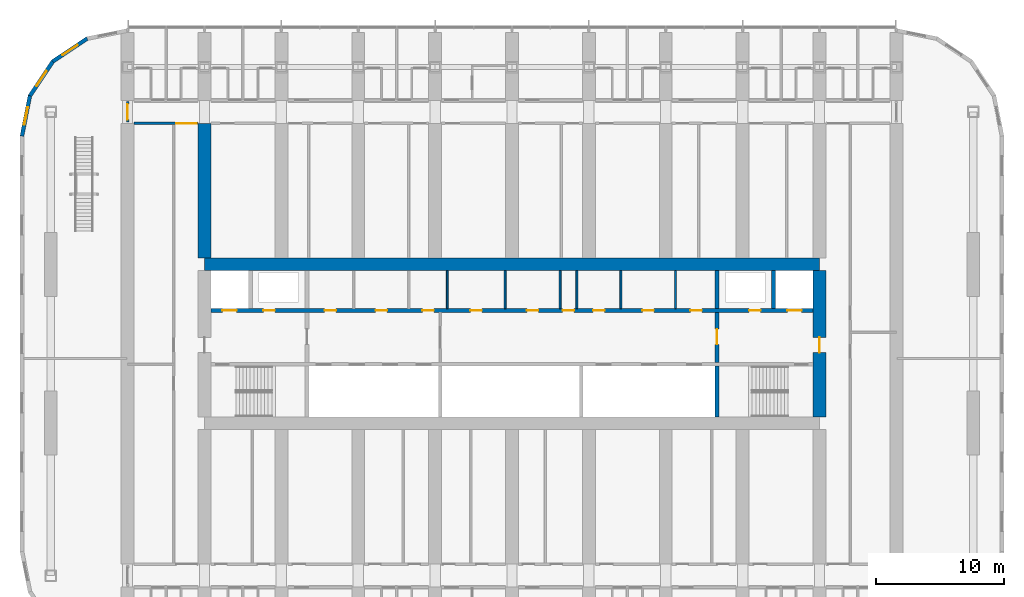
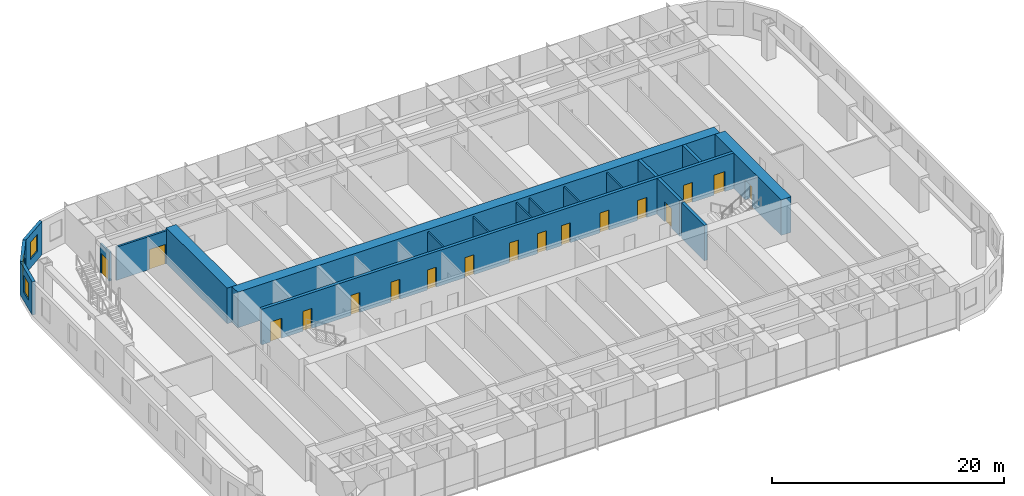
# One storey, part 16 of 28: 19 walls, 17 doors, 3 windows, 20 openings.
"""IFC4 building model written with IfcOpenShell, lengths in metres."""

from ifc_helpers import new_model, si_unit, direction, frame, frame_2d, origin, place, context, subcontext, project, spatial, polyline, rectangle, outline, extrude, material, layer, layer_set, type_object, element, fill, save


model = new_model("IFC4")

# Units and contexts
model_context = context("Model", 3, precision=1e-05, world=origin(), true_north=direction((0.0, 1.0)))
body_context = subcontext(model_context, "Body", "Model", "MODEL_VIEW")
ifc_project = project(units=[si_unit("LENGTHUNIT", "METRE"), si_unit("AREAUNIT", "SQUARE_METRE"), si_unit("VOLUMEUNIT", "CUBIC_METRE"), si_unit("PLANEANGLEUNIT", "RADIAN"), si_unit("MASSUNIT", "GRAM", prefix="KILO")], contexts=[model_context])

# Site, building, storey
site_placement = place(None, origin())
site = spatial("IfcSite", under=ifc_project, at=site_placement, CompositionType="ELEMENT")
building_placement = place(site_placement, origin())
building = spatial("IfcBuilding", under=site, at=building_placement, Name="Orbita Commons", CompositionType="ELEMENT")
storey_placement = place(building_placement, frame((0.0, 0.0, 23.949951171875)))
storey = spatial("IfcBuildingStorey", under=building, at=storey_placement, Name="L05", CompositionType="ELEMENT", Elevation=23.949951171875)

# Wall, openings, doors
ifc_material_1 = material(Name="Concrete C50/60", Category="concrete")
ifc_layer_1 = layer(ifc_material_1, 0.300048828125)
ifc_layer_set_1 = layer_set([ifc_layer_1], Name="Concrete C50/60")
wall_type_1 = type_object("IfcWallType", Name="Core inner wall 300 C50/60", PredefinedType="SHEAR", material=ifc_layer_set_1)
wall_1_placement = place(storey_placement, frame((18.5, 34.60009765625, 0.0), z_axis=(0.0, 0.0, 1.0), x_axis=(1.0, 0.0, 0.0)))
wall_1 = element("IfcWall", 1, at=wall_1_placement, inside=storey, type_object=wall_type_1, Name="Lobby wall north L05", PredefinedType="SHEAR", context=body_context, shape_type="SweptSolid", body=[
    extrude(rectangle(XDim=47.0, YDim=0.300048828125, at=frame_2d((23.5, 0.0))), origin(), (0.0, 0.0, 1.0), 3.75),
])
opening_1_placement = place(wall_1_placement, frame((0.89990234375, 0.0, 0.0)))
opening_1 = element("IfcOpeningElement", 2, at=opening_1_placement, cuts=wall_1, Name="Opening LD01", PredefinedType="OPENING", context=body_context, shape_type="SweptSolid", body=[
    extrude(rectangle(XDim=1.10009765625, YDim=2.10009765625, at=frame_2d((0.550048828125, 1.050048828125))), frame((0.0, 0.159912109375, 0.0), z_axis=(0.0, -1.0, 0.0), x_axis=(1.0, 0.0, 0.0)), (0.0, 0.0, 1.0), 0.320068359375),
])
opening_2_placement = place(wall_1_placement, frame((45.0, 0.0, 0.0)))
opening_2 = element("IfcOpeningElement", 3, at=opening_2_placement, cuts=wall_1, Name="Opening LD01", PredefinedType="OPENING", context=body_context, shape_type="SweptSolid", body=[
    extrude(rectangle(XDim=1.10009765625, YDim=2.10009765625, at=frame_2d((0.550048828125, 1.050048828125))), frame((0.0, 0.159912109375, 0.0), z_axis=(0.0, -1.0, 0.0), x_axis=(1.0, 0.0, 0.0)), (0.0, 0.0, 1.0), 0.320068359375),
])
opening_3_placement = place(wall_1_placement, frame((4.10009765625, 0.0, 0.0)))
opening_3 = element("IfcOpeningElement", 4, at=opening_3_placement, cuts=wall_1, Name="Opening D03", PredefinedType="OPENING", context=body_context, shape_type="SweptSolid", body=[
    extrude(rectangle(XDim=0.89990234375, YDim=2.10009765625, at=frame_2d((0.449951171875, 1.050048828125))), frame((0.0, 0.159912109375, 0.0), z_axis=(0.0, -1.0, 0.0), x_axis=(1.0, 0.0, 0.0)), (0.0, 0.0, 1.0), 0.320068359375),
])
opening_4_placement = place(wall_1_placement, frame((42.0, 0.0, 0.0)))
opening_4 = element("IfcOpeningElement", 5, at=opening_4_placement, cuts=wall_1, Name="Opening D03", PredefinedType="OPENING", context=body_context, shape_type="SweptSolid", body=[
    extrude(rectangle(XDim=0.89990234375, YDim=2.10009765625, at=frame_2d((0.449951171875, 1.050048828125))), frame((0.0, 0.159912109375, 0.0), z_axis=(0.0, -1.0, 0.0), x_axis=(1.0, 0.0, 0.0)), (0.0, 0.0, 1.0), 0.320068359375),
])
opening_5_placement = place(wall_1_placement, frame((8.87548828125, 0.0, 0.0)))
opening_5 = element("IfcOpeningElement", 6, at=opening_5_placement, cuts=wall_1, Name="Opening D05", PredefinedType="OPENING", context=body_context, shape_type="SweptSolid", body=[
    extrude(rectangle(XDim=0.89990234375, YDim=2.10009765625, at=frame_2d((0.449951171875, 1.050048828125))), frame((0.0, 0.159912109375, 0.0), z_axis=(0.0, -1.0, 0.0), x_axis=(1.0, 0.0, 0.0)), (0.0, 0.0, 1.0), 0.320068359375),
])
opening_6_placement = place(wall_1_placement, frame((12.8486328125, 0.0, 0.0)))
opening_6 = element("IfcOpeningElement", 7, at=opening_6_placement, cuts=wall_1, Name="Opening D03", PredefinedType="OPENING", context=body_context, shape_type="SweptSolid", body=[
    extrude(rectangle(XDim=0.89990234375, YDim=2.10009765625, at=frame_2d((0.449951171875, 1.050048828125))), frame((0.0, 0.159912109375, 0.0), z_axis=(0.0, -1.0, 0.0), x_axis=(1.0, 0.0, 0.0)), (0.0, 0.0, 1.0), 0.320068359375),
])
opening_7_placement = place(wall_1_placement, frame((16.496337890625, 0.0, 0.0)))
opening_7 = element("IfcOpeningElement", 8, at=opening_7_placement, cuts=wall_1, Name="Opening D03", PredefinedType="OPENING", context=body_context, shape_type="SweptSolid", body=[
    extrude(rectangle(XDim=0.89990234375, YDim=2.10009765625, at=frame_2d((0.449951171875, 1.050048828125))), frame((0.0, 0.159912109375, 0.0), z_axis=(0.0, -1.0, 0.0), x_axis=(1.0, 0.0, 0.0)), (0.0, 0.0, 1.0), 0.320068359375),
])
opening_8_placement = place(wall_1_placement, frame((20.254638671875, 0.0, 0.0)))
opening_8 = element("IfcOpeningElement", 9, at=opening_8_placement, cuts=wall_1, Name="Opening D03", PredefinedType="OPENING", context=body_context, shape_type="SweptSolid", body=[
    extrude(rectangle(XDim=0.89990234375, YDim=2.10009765625, at=frame_2d((0.449951171875, 1.050048828125))), frame((0.0, 0.159912109375, 0.0), z_axis=(0.0, -1.0, 0.0), x_axis=(1.0, 0.0, 0.0)), (0.0, 0.0, 1.0), 0.320068359375),
])
opening_9_placement = place(wall_1_placement, frame((24.66064453125, 0.0, 0.0)))
opening_9 = element("IfcOpeningElement", 10, at=opening_9_placement, cuts=wall_1, Name="Opening D03", PredefinedType="OPENING", context=body_context, shape_type="SweptSolid", body=[
    extrude(rectangle(XDim=0.89990234375, YDim=2.10009765625, at=frame_2d((0.449951171875, 1.050048828125))), frame((0.0, 0.159912109375, 0.0), z_axis=(0.0, -1.0, 0.0), x_axis=(1.0, 0.0, 0.0)), (0.0, 0.0, 1.0), 0.320068359375),
])
opening_10_placement = place(wall_1_placement, frame((27.45849609375, 0.0, 0.0)))
opening_10 = element("IfcOpeningElement", 11, at=opening_10_placement, cuts=wall_1, Name="Opening D03", PredefinedType="OPENING", context=body_context, shape_type="SweptSolid", body=[
    extrude(rectangle(XDim=0.89990234375, YDim=2.10009765625, at=frame_2d((0.449951171875, 1.050048828125))), frame((0.0, 0.159912109375, 0.0), z_axis=(0.0, -1.0, 0.0), x_axis=(1.0, 0.0, 0.0)), (0.0, 0.0, 1.0), 0.320068359375),
])
opening_11_placement = place(wall_1_placement, frame((29.830810546875, 0.0, 0.0)))
opening_11 = element("IfcOpeningElement", 12, at=opening_11_placement, cuts=wall_1, Name="Opening D03", PredefinedType="OPENING", context=body_context, shape_type="SweptSolid", body=[
    extrude(rectangle(XDim=0.89990234375, YDim=2.10009765625, at=frame_2d((0.449951171875, 1.050048828125))), frame((0.0, 0.159912109375, 0.0), z_axis=(0.0, -1.0, 0.0), x_axis=(1.0, 0.0, 0.0)), (0.0, 0.0, 1.0), 0.320068359375),
])
opening_12_placement = place(wall_1_placement, frame((33.680419921875, 0.0, 0.0)))
opening_12 = element("IfcOpeningElement", 13, at=opening_12_placement, cuts=wall_1, Name="Opening D05", PredefinedType="OPENING", context=body_context, shape_type="SweptSolid", body=[
    extrude(rectangle(XDim=0.89990234375, YDim=2.10009765625, at=frame_2d((0.449951171875, 1.050048828125))), frame((0.0, 0.159912109375, 0.0), z_axis=(0.0, -1.0, 0.0), x_axis=(1.0, 0.0, 0.0)), (0.0, 0.0, 1.0), 0.320068359375),
])
opening_13_placement = place(wall_1_placement, frame((37.428955078125, 0.0, 0.0)))
opening_13 = element("IfcOpeningElement", 14, at=opening_13_placement, cuts=wall_1, Name="Opening D03", PredefinedType="OPENING", context=body_context, shape_type="SweptSolid", body=[
    extrude(rectangle(XDim=0.89990234375, YDim=2.10009765625, at=frame_2d((0.449951171875, 1.050048828125))), frame((0.0, 0.159912109375, 0.0), z_axis=(0.0, -1.0, 0.0), x_axis=(1.0, 0.0, 0.0)), (0.0, 0.0, 1.0), 0.320068359375),
])
ifc_material_2 = material(Name="Steel-faced fire door leaf", Category="steel")
door_type_1 = type_object("IfcDoorType", Name="Firefighting lift landing door 1100x2100", OperationType="DOUBLE_DOOR_SLIDING", PredefinedType="DOOR", material=ifc_material_2)
door_1_placement = place(opening_1_placement, origin())
door_1 = element("IfcDoor", 15, at=door_1_placement, inside=storey, type_object=door_type_1, Name="Firefighting lift FL1 landing door", OperationType="DOUBLE_DOOR_SLIDING", OverallHeight=2.10009765625, OverallWidth=1.10009765625, PredefinedType="DOOR", context=body_context, shape_type="SweptSolid", body=[
    extrude(rectangle(XDim=1.10009765625, YDim=2.10009765625, at=frame_2d((0.550048828125, 1.050048828125))), frame((0.0, 0.02490234375, 0.0), z_axis=(0.0, -1.0, 0.0), x_axis=(1.0, 0.0, 0.0)), (0.0, 0.0, 1.0), 0.050048828125),
])
fill(opening_1, door_1)
door_2_placement = place(opening_2_placement, origin())
door_2 = element("IfcDoor", 16, at=door_2_placement, inside=storey, type_object=door_type_1, Name="Firefighting lift FL2 landing door", OperationType="DOUBLE_DOOR_SLIDING", OverallHeight=2.10009765625, OverallWidth=1.10009765625, PredefinedType="DOOR", context=body_context, shape_type="SweptSolid", body=[
    extrude(rectangle(XDim=1.10009765625, YDim=2.10009765625, at=frame_2d((0.550048828125, 1.050048828125))), frame((0.0, 0.02490234375, 0.0), z_axis=(0.0, -1.0, 0.0), x_axis=(1.0, 0.0, 0.0)), (0.0, 0.0, 1.0), 0.050048828125),
])
fill(opening_2, door_2)
ifc_material_3 = material(Name="Steel-faced fire door leaf", Category="steel")
door_type_2 = type_object("IfcDoorType", Name="Service door 20 min 900x2100", OperationType="SINGLE_SWING_LEFT", PredefinedType="DOOR", material=ifc_material_3)
door_3_placement = place(opening_5_placement, origin())
door_3 = element("IfcDoor", 17, at=door_3_placement, inside=storey, type_object=door_type_2, Name="Accessible WC door", OperationType="SINGLE_SWING_LEFT", OverallHeight=2.10009765625, OverallWidth=0.89990234375, PredefinedType="DOOR", context=body_context, shape_type="SweptSolid", body=[
    extrude(rectangle(XDim=0.89990234375, YDim=2.10009765625, at=frame_2d((0.449951171875, 1.050048828125))), frame((0.0, 0.02490234375, 0.0), z_axis=(0.0, -1.0, 0.0), x_axis=(1.0, 0.0, 0.0)), (0.0, 0.0, 1.0), 0.050048828125),
])
fill(opening_5, door_3)
door_4_placement = place(opening_12_placement, origin())
door_4 = element("IfcDoor", 18, at=door_4_placement, inside=storey, type_object=door_type_2, Name="Guest pantry door", OperationType="SINGLE_SWING_LEFT", OverallHeight=2.10009765625, OverallWidth=0.89990234375, PredefinedType="DOOR", context=body_context, shape_type="SweptSolid", body=[
    extrude(rectangle(XDim=0.89990234375, YDim=2.10009765625, at=frame_2d((0.449951171875, 1.050048828125))), frame((0.0, 0.02490234375, 0.0), z_axis=(0.0, -1.0, 0.0), x_axis=(1.0, 0.0, 0.0)), (0.0, 0.0, 1.0), 0.050048828125),
])
fill(opening_12, door_4)
ifc_material_4 = material(Name="Steel-faced fire door leaf", Category="steel")
door_type_3 = type_object("IfcDoorType", Name="Shaft access door 90 min 900x2100", OperationType="SINGLE_SWING_LEFT", PredefinedType="DOOR", material=ifc_material_4)
door_5_placement = place(opening_3_placement, origin())
door_5 = element("IfcDoor", 19, at=door_5_placement, inside=storey, type_object=door_type_3, Name="Riser door west", OperationType="SINGLE_SWING_LEFT", OverallHeight=2.10009765625, OverallWidth=0.89990234375, PredefinedType="DOOR", context=body_context, shape_type="SweptSolid", body=[
    extrude(rectangle(XDim=0.89990234375, YDim=2.10009765625, at=frame_2d((0.449951171875, 1.050048828125))), frame((0.0, 0.02490234375, 0.0), z_axis=(0.0, -1.0, 0.0), x_axis=(1.0, 0.0, 0.0)), (0.0, 0.0, 1.0), 0.050048828125),
])
fill(opening_3, door_5)
door_6_placement = place(opening_4_placement, origin())
door_6 = element("IfcDoor", 20, at=door_6_placement, inside=storey, type_object=door_type_3, Name="Riser door east", OperationType="SINGLE_SWING_LEFT", OverallHeight=2.10009765625, OverallWidth=0.89990234375, PredefinedType="DOOR", context=body_context, shape_type="SweptSolid", body=[
    extrude(rectangle(XDim=0.89990234375, YDim=2.10009765625, at=frame_2d((0.449951171875, 1.050048828125))), frame((0.0, 0.02490234375, 0.0), z_axis=(0.0, -1.0, 0.0), x_axis=(1.0, 0.0, 0.0)), (0.0, 0.0, 1.0), 0.050048828125),
])
fill(opening_4, door_6)
door_7_placement = place(opening_6_placement, origin())
door_7 = element("IfcDoor", 21, at=door_7_placement, inside=storey, type_object=door_type_3, Name="Refuse chute room door", OperationType="SINGLE_SWING_LEFT", OverallHeight=2.10009765625, OverallWidth=0.89990234375, PredefinedType="DOOR", context=body_context, shape_type="SweptSolid", body=[
    extrude(rectangle(XDim=0.89990234375, YDim=2.10009765625, at=frame_2d((0.449951171875, 1.050048828125))), frame((0.0, 0.02490234375, 0.0), z_axis=(0.0, -1.0, 0.0), x_axis=(1.0, 0.0, 0.0)), (0.0, 0.0, 1.0), 0.050048828125),
])
fill(opening_6, door_7)
door_8_placement = place(opening_7_placement, origin())
door_8 = element("IfcDoor", 22, at=door_8_placement, inside=storey, type_object=door_type_3, Name="Electrical riser room door", OperationType="SINGLE_SWING_LEFT", OverallHeight=2.10009765625, OverallWidth=0.89990234375, PredefinedType="DOOR", context=body_context, shape_type="SweptSolid", body=[
    extrude(rectangle(XDim=0.89990234375, YDim=2.10009765625, at=frame_2d((0.449951171875, 1.050048828125))), frame((0.0, 0.02490234375, 0.0), z_axis=(0.0, -1.0, 0.0), x_axis=(1.0, 0.0, 0.0)), (0.0, 0.0, 1.0), 0.050048828125),
])
fill(opening_7, door_8)
door_9_placement = place(opening_8_placement, origin())
door_9 = element("IfcDoor", 23, at=door_9_placement, inside=storey, type_object=door_type_3, Name="Storage room door", OperationType="SINGLE_SWING_LEFT", OverallHeight=2.10009765625, OverallWidth=0.89990234375, PredefinedType="DOOR", context=body_context, shape_type="SweptSolid", body=[
    extrude(rectangle(XDim=0.89990234375, YDim=2.10009765625, at=frame_2d((0.449951171875, 1.050048828125))), frame((0.0, 0.02490234375, 0.0), z_axis=(0.0, -1.0, 0.0), x_axis=(1.0, 0.0, 0.0)), (0.0, 0.0, 1.0), 0.050048828125),
])
fill(opening_8, door_9)
door_10_placement = place(opening_9_placement, origin())
door_10 = element("IfcDoor", 24, at=door_10_placement, inside=storey, type_object=door_type_3, Name="Communications room door", OperationType="SINGLE_SWING_LEFT", OverallHeight=2.10009765625, OverallWidth=0.89990234375, PredefinedType="DOOR", context=body_context, shape_type="SweptSolid", body=[
    extrude(rectangle(XDim=0.89990234375, YDim=2.10009765625, at=frame_2d((0.449951171875, 1.050048828125))), frame((0.0, 0.02490234375, 0.0), z_axis=(0.0, -1.0, 0.0), x_axis=(1.0, 0.0, 0.0)), (0.0, 0.0, 1.0), 0.050048828125),
])
fill(opening_9, door_10)
door_11_placement = place(opening_10_placement, origin())
door_11 = element("IfcDoor", 25, at=door_11_placement, inside=storey, type_object=door_type_3, Name="Stair pressurisation duct door", OperationType="SINGLE_SWING_LEFT", OverallHeight=2.10009765625, OverallWidth=0.89990234375, PredefinedType="DOOR", context=body_context, shape_type="SweptSolid", body=[
    extrude(rectangle(XDim=0.89990234375, YDim=2.10009765625, at=frame_2d((0.449951171875, 1.050048828125))), frame((0.0, 0.02490234375, 0.0), z_axis=(0.0, -1.0, 0.0), x_axis=(1.0, 0.0, 0.0)), (0.0, 0.0, 1.0), 0.050048828125),
])
fill(opening_10, door_11)
door_12_placement = place(opening_11_placement, origin())
door_12 = element("IfcDoor", 26, at=door_12_placement, inside=storey, type_object=door_type_3, Name="IT room door", OperationType="SINGLE_SWING_LEFT", OverallHeight=2.10009765625, OverallWidth=0.89990234375, PredefinedType="DOOR", context=body_context, shape_type="SweptSolid", body=[
    extrude(rectangle(XDim=0.89990234375, YDim=2.10009765625, at=frame_2d((0.449951171875, 1.050048828125))), frame((0.0, 0.02490234375, 0.0), z_axis=(0.0, -1.0, 0.0), x_axis=(1.0, 0.0, 0.0)), (0.0, 0.0, 1.0), 0.050048828125),
])
fill(opening_11, door_12)
door_13_placement = place(opening_13_placement, origin())
door_13 = element("IfcDoor", 27, at=door_13_placement, inside=storey, type_object=door_type_3, Name="Cleaners store door", OperationType="SINGLE_SWING_LEFT", OverallHeight=2.10009765625, OverallWidth=0.89990234375, PredefinedType="DOOR", context=body_context, shape_type="SweptSolid", body=[
    extrude(rectangle(XDim=0.89990234375, YDim=2.10009765625, at=frame_2d((0.449951171875, 1.050048828125))), frame((0.0, 0.02490234375, 0.0), z_axis=(0.0, -1.0, 0.0), x_axis=(1.0, 0.0, 0.0)), (0.0, 0.0, 1.0), 0.050048828125),
])
fill(opening_13, door_13)

# Wall
wall_2_placement = place(storey_placement, frame((58.0, 26.300048828125, 0.0), z_axis=(0.0, 0.0, 1.0), x_axis=(0.0, 1.0, 0.0)))
element("IfcWall", 28, at=wall_2_placement, inside=storey, type_object=wall_type_1, Name="Stair S2 wall L05", PredefinedType="SHEAR", context=body_context, shape_type="SweptSolid", body=[
    extrude(rectangle(XDim=3.949951171875, YDim=0.300048828125, at=frame_2d((1.97509765625, 0.0))), origin(), (0.0, 0.0, 1.0), 3.75),
])

# Wall, opening, door
wall_3_placement = place(storey_placement, frame((58.0, 30.550048828125, 0.0), z_axis=(0.0, 0.0, 1.0), x_axis=(0.0, 1.0, 0.0)))
wall_3 = element("IfcWall", 29, at=wall_3_placement, inside=storey, type_object=wall_type_1, Name="Firefighting lobby wall east L05", PredefinedType="SHEAR", context=body_context, shape_type="SweptSolid", body=[
    extrude(rectangle(XDim=3.89990234375, YDim=0.300048828125, at=frame_2d((1.949951171875, 0.0))), origin(), (0.0, 0.0, 1.0), 3.75),
])
opening_14_placement = place(wall_3_placement, frame((1.39990234375, 0.0, 0.0)))
opening_14 = element("IfcOpeningElement", 30, at=opening_14_placement, cuts=wall_3, Name="Opening D04", PredefinedType="OPENING", context=body_context, shape_type="SweptSolid", body=[
    extrude(rectangle(XDim=1.199951171875, YDim=2.10009765625, at=frame_2d((0.60009765625, 1.050048828125))), frame((0.0, 0.159912109375, 0.0), z_axis=(0.0, -1.0, 0.0), x_axis=(1.0, 0.0, 0.0)), (0.0, 0.0, 1.0), 0.320068359375),
])
ifc_material_5 = material(Name="Steel-faced fire door leaf", Category="steel")
door_type_4 = type_object("IfcDoorType", Name="Service door 20 min 1200x2100", OperationType="SINGLE_SWING_LEFT", PredefinedType="DOOR", material=ifc_material_5)
door_14_placement = place(opening_14_placement, origin())
door_14 = element("IfcDoor", 31, at=door_14_placement, inside=storey, type_object=door_type_4, Name="Lift lobby door east", OperationType="SINGLE_SWING_LEFT", OverallHeight=2.10009765625, OverallWidth=1.199951171875, PredefinedType="DOOR", context=body_context, shape_type="SweptSolid", body=[
    extrude(rectangle(XDim=1.199951171875, YDim=2.10009765625, at=frame_2d((0.60009765625, 1.050048828125))), frame((0.0, 0.02490234375, 0.0), z_axis=(0.0, -1.0, 0.0), x_axis=(1.0, 0.0, 0.0)), (0.0, 0.0, 1.0), 0.050048828125),
])
fill(opening_14, door_14)

# Walls
for number, where, z_axis, x_axis, name in (
    (32, (62.39990234375, 34.75, 0.0), (0.0, 0.0, 1.0), (0.0, 1.0, 0.0), "Firefighting lift FL2 shaft wall L05"),
    (33, (58.0, 34.75, 0.0), (0.0, 0.0, 1.0), (0.0, 1.0, 0.0), "Riser wall east L05"),
):
    element("IfcWall", number, at=place(storey_placement, frame(where, z_axis=z_axis, x_axis=x_axis)), inside=storey, type_object=wall_type_1, Name=name, PredefinedType="SHEAR", context=body_context, shape_type="SweptSolid", body=[
        extrude(rectangle(XDim=2.949951171875, YDim=0.300048828125, at=frame_2d((1.47509765625, 0.0))), origin(), (0.0, 0.0, 1.0), 3.75),
    ])
ifc_material_6 = material(Name="Concrete blockwork", Category="masonry")
ifc_layer_2 = layer(ifc_material_6, 0.14990234375)
ifc_layer_set_2 = layer_set([ifc_layer_2], Name="Concrete blockwork")
wall_type_2 = type_object("IfcWallType", Name="Core partition 150 blockwork", PredefinedType="SOLIDWALL", material=ifc_layer_set_2)
for number, where, z_axis, x_axis, name in (
    (34, (36.9462890625, 34.75, 0.0), (0.0, 0.0, 1.0), (0.0, 1.0, 0.0), "Core partition 150 blockwork L05"),
    (35, (41.463134765625, 34.75, 0.0), (0.0, 0.0, 1.0), (0.0, 1.0, 0.0), "Core partition 150 blockwork L05"),
    (36, (45.75830078125, 34.75, 0.0), (0.0, 0.0, 1.0), (0.0, 1.0, 0.0), "Core partition 150 blockwork L05"),
    (37, (47.058349609375, 34.75, 0.0), (0.0, 0.0, 1.0), (0.0, 1.0, 0.0), "Core partition 150 blockwork L05"),
    (38, (50.5029296875, 34.75, 0.0), (0.0, 0.0, 1.0), (0.0, 1.0, 0.0), "Core partition 150 blockwork L05"),
    (39, (54.758056640625, 34.75, 0.0), (0.0, 0.0, 1.0), (0.0, 1.0, 0.0), "Core partition 150 blockwork L05"),
):
    element("IfcWall", number, at=place(storey_placement, frame(where, z_axis=z_axis, x_axis=x_axis)), inside=storey, type_object=wall_type_2, Name=name, PredefinedType="SOLIDWALL", context=body_context, shape_type="SweptSolid", body=[
        extrude(rectangle(XDim=2.949951171875, YDim=0.14990234375, at=frame_2d((1.47509765625, 0.0))), origin(), (0.0, 0.0, 1.0), 3.5),
    ])
ifc_material_7 = material(Name="Concrete C50/60", Category="concrete")
ifc_layer_3 = layer(ifc_material_7, 1.0)
ifc_layer_set_3 = layer_set([ifc_layer_3], Name="Concrete C50/60")
wall_type_3 = type_object("IfcWallType", Name="Core wall 1000 C50/60", PredefinedType="SHEAR", material=ifc_layer_set_3)
wall_4_placement = place(storey_placement, frame((18.0, 38.199951171875, 0.0), z_axis=(0.0, 0.0, 1.0), x_axis=(1.0, 0.0, 0.0)))
element("IfcWall", 40, at=wall_4_placement, inside=storey, type_object=wall_type_3, Name="Core spine wall north L05", PredefinedType="SHEAR", context=body_context, shape_type="SweptSolid", body=[
    extrude(rectangle(XDim=48.0, YDim=1.0, at=frame_2d((24.0, 0.0))), origin(), (0.0, 0.0, 1.0), 3.75),
])

# Wall, opening, door
wall_5_placement = place(storey_placement, frame((66.0, 26.300048828125, 0.0), z_axis=(0.0, 0.0, 1.0), x_axis=(0.0, 1.0, 0.0)))
wall_5 = element("IfcWall", 41, at=wall_5_placement, inside=storey, type_object=wall_type_3, Name="Core end wall east L05", PredefinedType="SHEAR", context=body_context, shape_type="SweptSolid", body=[
    extrude(rectangle(XDim=11.39990234375, YDim=1.0, at=frame_2d((5.699951171875, 0.0))), origin(), (0.0, 0.0, 1.0), 3.75),
])
opening_15_placement = place(wall_5_placement, frame((5.0, 0.0, 0.0)))
opening_15 = element("IfcOpeningElement", 42, at=opening_15_placement, cuts=wall_5, Name="Opening D01", PredefinedType="OPENING", context=body_context, shape_type="SweptSolid", body=[
    extrude(rectangle(XDim=1.199951171875, YDim=2.10009765625, at=frame_2d((0.60009765625, 1.050048828125))), frame((0.0, 0.510009765625, 0.0), z_axis=(0.0, -1.0, 0.0), x_axis=(1.0, 0.0, 0.0)), (0.0, 0.0, 1.0), 1.02001953125),
])
ifc_material_8 = material(Name="Steel-faced fire door leaf", Category="steel")
door_type_5 = type_object("IfcDoorType", Name="Fire door 90 min 1200x2100", OperationType="SINGLE_SWING_LEFT", PredefinedType="DOOR", material=ifc_material_8)
door_15_placement = place(opening_15_placement, origin())
door_15 = element("IfcDoor", 43, at=door_15_placement, inside=storey, type_object=door_type_5, Name="Firefighting lobby east door", OperationType="SINGLE_SWING_LEFT", OverallHeight=2.10009765625, OverallWidth=1.199951171875, PredefinedType="DOOR", context=body_context, shape_type="SweptSolid", body=[
    extrude(rectangle(XDim=1.199951171875, YDim=2.10009765625, at=frame_2d((0.60009765625, 1.050048828125))), frame((0.0, 0.02490234375, 0.0), z_axis=(0.0, -1.0, 0.0), x_axis=(1.0, 0.0, 0.0)), (0.0, 0.0, 1.0), 0.050048828125),
])
fill(opening_15, door_15)

ifc_material_9 = material(Name="Concrete blockwork", Category="masonry")
ifc_layer_4 = layer(ifc_material_9, 0.199951171875)
ifc_layer_set_4 = layer_set([ifc_layer_4], Name="Concrete blockwork")
wall_type_4 = type_object("IfcWallType", Name="Corridor wall 200 blockwork", PredefinedType="SOLIDWALL", material=ifc_layer_set_4)
wall_6_placement = place(storey_placement, frame((12.0, 49.300048828125, 0.0), z_axis=(0.0, 0.0, 1.0), x_axis=(0.0, 1.0, 0.0)))
wall_6 = element("IfcWall", 44, at=wall_6_placement, inside=storey, type_object=wall_type_4, Name="Corridor wall 200 blockwork L05", PredefinedType="SOLIDWALL", context=body_context, shape_type="SweptSolid", body=[
    extrude(outline(polyline([(0.0, 0.0), (1.599853515625, 0.0), (1.60009765625, 3.050048828125), (0.0, 3.050048828125), (0.0, 0.0)])), frame((0.0, 0.10009765625, 0.0), z_axis=(0.0, -1.0, 0.0), x_axis=(1.0, 0.0, 0.0)), (0.0, 0.0, 1.0), 0.199951171875),
])
opening_16_placement = place(wall_6_placement, frame((0.199951171875, 0.0, 0.0)))
opening_16 = element("IfcOpeningElement", 45, at=opening_16_placement, cuts=wall_6, Name="Opening D12", PredefinedType="OPENING", context=body_context, shape_type="SweptSolid", body=[
    extrude(rectangle(XDim=1.199951171875, YDim=2.10009765625, at=frame_2d((0.60009765625, 1.050048828125))), frame((0.0, 0.10986328125, 0.0), z_axis=(0.0, -1.0, 0.0), x_axis=(1.0, 0.0, 0.0)), (0.0, 0.0, 1.0), 0.219970703125),
])
ifc_material_10 = material(Name="Steel-faced fire door leaf", Category="steel")
door_type_6 = type_object("IfcDoorType", Name="Double corridor door 20 min 1200x2100", OperationType="DOUBLE_DOOR_SINGLE_SWING", PredefinedType="DOOR", material=ifc_material_10)
door_16_placement = place(opening_16_placement, origin())
door_16 = element("IfcDoor", 46, at=door_16_placement, inside=storey, type_object=door_type_6, Name="Lounge doors", OperationType="DOUBLE_DOOR_SINGLE_SWING", OverallHeight=2.10009765625, OverallWidth=1.199951171875, PredefinedType="DOOR", context=body_context, shape_type="SweptSolid", body=[
    extrude(rectangle(XDim=1.199951171875, YDim=2.10009765625, at=frame_2d((0.60009765625, 1.050048828125))), frame((0.0, 0.02490234375, 0.0), z_axis=(0.0, -1.0, 0.0), x_axis=(1.0, 0.0, 0.0)), (0.0, 0.0, 1.0), 0.050048828125),
])
fill(opening_16, door_16)

ifc_material_11 = material(Name="Hollow concrete block 200", Category="concrete")
ifc_layer_5 = layer(ifc_material_11, 0.199951171875)
ifc_layer_set_5 = layer_set([ifc_layer_5], Name="Hollow concrete block 200")
wall_type_5 = type_object("IfcWallType", Name="Corridor wall 200 hollow concrete block", PredefinedType="SOLIDWALL", material=ifc_layer_set_5)
wall_7_placement = place(storey_placement, frame((12.5, 49.199951171875, 0.0), z_axis=(0.0, 0.0, 1.0), x_axis=(1.0, 0.0, 0.0)))
wall_7 = element("IfcWall", 47, at=wall_7_placement, inside=storey, type_object=wall_type_5, Name="Corridor wall 200 hollow concrete block L05", PredefinedType="SOLIDWALL", context=body_context, shape_type="SweptSolid", body=[
    extrude(rectangle(XDim=5.0, YDim=0.199951171875, at=frame_2d((2.5, 0.0))), origin(), (0.0, 0.0, 1.0), 3.5),
])
opening_17_placement = place(wall_7_placement, frame((3.300048828125, 0.0, 0.0)))
opening_17 = element("IfcOpeningElement", 48, at=opening_17_placement, cuts=wall_7, Name="Opening D10", PredefinedType="OPENING", context=body_context, shape_type="SweptSolid", body=[
    extrude(rectangle(XDim=1.60009765625, YDim=2.10009765625, at=frame_2d((0.800048828125, 1.050048828125))), frame((0.0, 0.10986328125, 0.0), z_axis=(0.0, -1.0, 0.0), x_axis=(1.0, 0.0, 0.0)), (0.0, 0.0, 1.0), 0.219970703125),
])
ifc_material_12 = material(Name="Steel-faced fire door leaf", Category="steel")
door_type_7 = type_object("IfcDoorType", Name="Double corridor door 20 min 1600x2100", OperationType="DOUBLE_DOOR_SINGLE_SWING", PredefinedType="DOOR", material=ifc_material_12)
door_17_placement = place(opening_17_placement, origin())
door_17 = element("IfcDoor", 49, at=door_17_placement, inside=storey, type_object=door_type_7, Name="Cross corridor doors", OperationType="DOUBLE_DOOR_SINGLE_SWING", OverallHeight=2.10009765625, OverallWidth=1.60009765625, PredefinedType="DOOR", context=body_context, shape_type="SweptSolid", body=[
    extrude(rectangle(XDim=1.60009765625, YDim=2.10009765625, at=frame_2d((0.800048828125, 1.050048828125))), frame((0.0, 0.02490234375, 0.0), z_axis=(0.0, -1.0, 0.0), x_axis=(1.0, 0.0, 0.0)), (0.0, 0.0, 1.0), 0.050048828125),
])
fill(opening_17, door_17)

# Wall
ifc_material_13 = material(Name="Concrete C50/60", Category="concrete")
ifc_layer_6 = layer(ifc_material_13, 1.0)
ifc_layer_set_6 = layer_set([ifc_layer_6], Name="Concrete C50/60")
wall_type_6 = type_object("IfcWallType", Name="Cross wall 1000 C50/60", PredefinedType="SHEAR", material=ifc_layer_set_6)
wall_8_placement = place(storey_placement, frame((18.0, 38.699951171875, 0.0), z_axis=(0.0, 0.0, 1.0), x_axis=(0.0, 1.0, 0.0)))
element("IfcWall", 50, at=wall_8_placement, inside=storey, type_object=wall_type_6, Name="Cross wall 4 north inner L05", PredefinedType="SHEAR", context=body_context, shape_type="SweptSolid", body=[
    extrude(rectangle(XDim=10.5, YDim=1.0, at=frame_2d((5.25, 0.0))), origin(), (0.0, 0.0, 1.0), 3.75),
])

# Wall, opening, window
ifc_material_14 = material(Name="Precast concrete C40/50, white board-marked finish", Category="concrete")
ifc_layer_7 = layer(ifc_material_14, 0.300048828125)
ifc_layer_set_7 = layer_set([ifc_layer_7], Name="Precast concrete C40/50, white board-marked finish")
wall_type_7 = type_object("IfcWallType", Name="Precast concrete end shield 300", PredefinedType="SOLIDWALL", material=ifc_layer_set_7)
wall_9_placement = place(storey_placement, frame((8.843017578125, 55.822021484375, 0.0), z_axis=(0.0, 0.0, 1.0), x_axis=(-0.831478105043, -0.555557522525, 0.0)))
wall_9 = element("IfcWall", 51, at=wall_9_placement, inside=storey, type_object=wall_type_7, Name="End shield NW chord 2 L05", PredefinedType="SOLIDWALL", context=body_context, shape_type="SweptSolid", body=[
    extrude(outline(polyline([(-0.02978515625, -0.14990234375), (3.248779296875, -0.14990234375), (3.189208984375, 0.14990234375), (0.02978515625, 0.14990234375), (-0.02978515625, -0.14990234375)])), origin(), (0.0, 0.0, 1.0), 3.5),
])
opening_18_placement = place(wall_9_placement, frame((0.909423828125, 0.0, 0.89990234375)))
opening_18 = element("IfcOpeningElement", 52, at=opening_18_placement, cuts=wall_9, Name="Opening W02", PredefinedType="OPENING", context=body_context, shape_type="SweptSolid", body=[
    extrude(rectangle(XDim=1.39990234375, YDim=1.800048828125, at=frame_2d((0.699951171875, 0.89990234375))), frame((0.0, 0.159912109375, 0.0), z_axis=(0.0, -1.0, 0.0), x_axis=(1.0, 0.0, 0.0)), (0.0, 0.0, 1.0), 0.320068359375),
])
ifc_material_15 = material(Name="Aluminium frame, clear double glazing", Category="aluminium")
window_type = type_object("IfcWindowType", Name="Deep-set window 1400x1800", PartitioningType="SINGLE_PANEL", PredefinedType="WINDOW", material=ifc_material_15)
window_1_placement = place(opening_18_placement, origin())
window_1 = element("IfcWindow", 53, at=window_1_placement, inside=storey, type_object=window_type, Name="Window L05-NW1", OverallHeight=1.800048828125, OverallWidth=1.39990234375, PartitioningType="SINGLE_PANEL", PredefinedType="WINDOW", context=body_context, shape_type="SweptSolid", body=[
    extrude(rectangle(XDim=1.39990234375, YDim=1.800048828125, at=frame_2d((0.699951171875, 0.89990234375))), frame((0.0, 0.030029296875, 0.0), z_axis=(0.0, -1.0, 0.0), x_axis=(1.0, 0.0, 0.0)), (0.0, 0.0, 1.0), 0.06005859375),
])
fill(opening_18, window_1)

wall_10_placement = place(storey_placement, frame((6.16650390625, 54.03369140625, 0.0), z_axis=(0.0, 0.0, 1.0), x_axis=(-0.555609954424, -0.831443069936, 0.0)))
wall_10 = element("IfcWall", 54, at=wall_10_placement, inside=storey, type_object=wall_type_7, Name="End shield NW chord 3 L05", PredefinedType="SOLIDWALL", context=body_context, shape_type="SweptSolid", body=[
    extrude(outline(polyline([(-0.02978515625, -0.14990234375), (3.2490234375, -0.14990234375), (3.189453125, 0.14990234375), (0.02978515625, 0.14990234375), (-0.02978515625, -0.14990234375)])), origin(), (0.0, 0.0, 1.0), 3.5),
])
opening_19_placement = place(wall_10_placement, frame((0.909423828125, 0.0, 0.89990234375)))
opening_19 = element("IfcOpeningElement", 55, at=opening_19_placement, cuts=wall_10, Name="Opening W02", PredefinedType="OPENING", context=body_context, shape_type="SweptSolid", body=[
    extrude(rectangle(XDim=1.39990234375, YDim=1.800048828125, at=frame_2d((0.699951171875, 0.89990234375))), frame((0.0, 0.159912109375, 0.0), z_axis=(0.0, -1.0, 0.0), x_axis=(1.0, 0.0, 0.0)), (0.0, 0.0, 1.0), 0.320068359375),
])
window_2_placement = place(opening_19_placement, origin())
window_2 = element("IfcWindow", 56, at=window_2_placement, inside=storey, type_object=window_type, Name="Window L05-NW2", OverallHeight=1.800048828125, OverallWidth=1.39990234375, PartitioningType="SINGLE_PANEL", PredefinedType="WINDOW", context=body_context, shape_type="SweptSolid", body=[
    extrude(rectangle(XDim=1.39990234375, YDim=1.800048828125, at=frame_2d((0.699951171875, 0.89990234375))), frame((0.0, 0.030029296875, 0.0), z_axis=(0.0, -1.0, 0.0), x_axis=(1.0, 0.0, 0.0)), (0.0, 0.0, 1.0), 0.06005859375),
])
fill(opening_19, window_2)

wall_11_placement = place(storey_placement, frame((4.3779296875, 51.357177734375, 0.0), z_axis=(0.0, 0.0, 1.0), x_axis=(-0.195065901187, -0.980790137692, 0.0)))
wall_11 = element("IfcWall", 57, at=wall_11_placement, inside=storey, type_object=wall_type_7, Name="End shield NW chord 4 L05", PredefinedType="SOLIDWALL", context=body_context, shape_type="SweptSolid", body=[
    extrude(outline(polyline([(-0.02978515625, -0.14990234375), (3.23388671875, -0.14990234375), (3.2041015625, 0.14990234375), (0.02978515625, 0.14990234375), (-0.02978515625, -0.14990234375)])), origin(), (0.0, 0.0, 1.0), 3.5),
])
opening_20_placement = place(wall_11_placement, frame((0.909423828125, 0.0, 0.89990234375)))
opening_20 = element("IfcOpeningElement", 58, at=opening_20_placement, cuts=wall_11, Name="Opening W02", PredefinedType="OPENING", context=body_context, shape_type="SweptSolid", body=[
    extrude(rectangle(XDim=1.39990234375, YDim=1.800048828125, at=frame_2d((0.699951171875, 0.89990234375))), frame((0.0, 0.159912109375, 0.0), z_axis=(0.0, -1.0, 0.0), x_axis=(1.0, 0.0, 0.0)), (0.0, 0.0, 1.0), 0.320068359375),
])
window_3_placement = place(opening_20_placement, origin())
window_3 = element("IfcWindow", 59, at=window_3_placement, inside=storey, type_object=window_type, Name="Window L05-NW3", OverallHeight=1.800048828125, OverallWidth=1.39990234375, PartitioningType="SINGLE_PANEL", PredefinedType="WINDOW", context=body_context, shape_type="SweptSolid", body=[
    extrude(rectangle(XDim=1.39990234375, YDim=1.800048828125, at=frame_2d((0.699951171875, 0.89990234375))), frame((0.0, 0.030029296875, 0.0), z_axis=(0.0, -1.0, 0.0), x_axis=(1.0, 0.0, 0.0)), (0.0, 0.0, 1.0), 0.06005859375),
])
fill(opening_20, window_3)

save(model, "model.ifc")
